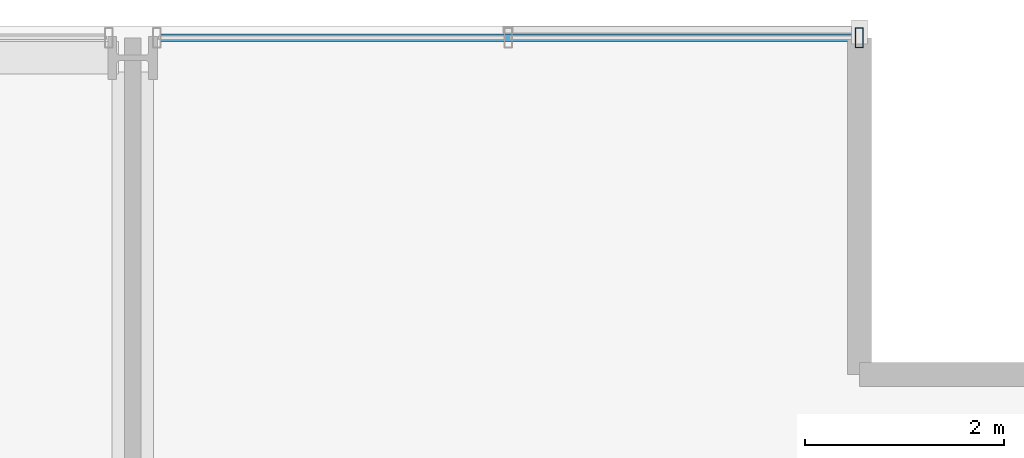
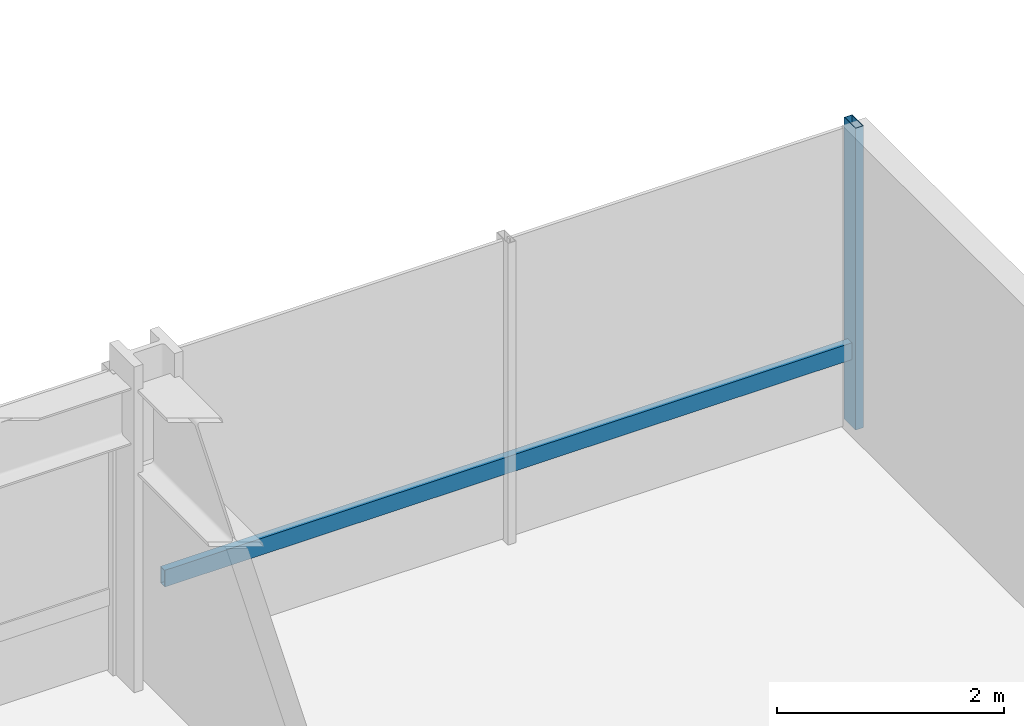
# One storey, part 28 of 42: 2 members, 1 element without a shape of its own.
"""IFC4 building model written with IfcOpenShell, lengths in metres."""

from ifc_helpers import new_model, si_unit, direction, frame, origin, origin_2d, place, context, subcontext, project, spatial, hollow_rectangle, extrude, material, layer, layer_set, material_profile, profile_set, type_object, element, aggregate, save


model = new_model("IFC4")

# Units and contexts
model_context = context("Model", 3, precision=1e-05, world=origin(), true_north=direction((0.0, 1.0)))
body_context = subcontext(model_context, "Body", "Model", "MODEL_VIEW")
ifc_project = project(units=[si_unit("LENGTHUNIT", "METRE"), si_unit("AREAUNIT", "SQUARE_METRE"), si_unit("VOLUMEUNIT", "CUBIC_METRE"), si_unit("PLANEANGLEUNIT", "RADIAN"), si_unit("MASSUNIT", "GRAM", prefix="KILO")], contexts=[model_context])

# Site, building, storey
site_placement = place(None, origin())
site = spatial("IfcSite", under=ifc_project, at=site_placement, CompositionType="ELEMENT")
building_placement = place(site_placement, origin())
building = spatial("IfcBuilding", under=site, at=building_placement, Name="Drelvath Grand Hotel", CompositionType="ELEMENT")
storey_placement = place(building_placement, frame((0.0, 0.0, 33.199951171875)))
storey = spatial("IfcBuildingStorey", under=building, at=storey_placement, Name="L06", CompositionType="ELEMENT", Elevation=33.199951171875)

# Curtain wall, members
ifc_material = material(Name="Warm Bronze Anodised Aluminium Frame", Category="aluminium")
ifc_layer = layer(ifc_material, 0.199951171875)
ifc_layer_set = layer_set([ifc_layer], Name="Warm Bronze Anodised Aluminium Frame")
curtain_wall_type = type_object("IfcCurtainWallType", Name="Stick Curtain Wall CW-02 Warm Bronze Low-Rise", PredefinedType="NOTDEFINED", material=ifc_layer_set)
curtain_wall_placement = place(storey_placement, origin())
curtain_wall = element("IfcCurtainWall", 1, at=curtain_wall_placement, inside=storey, type_object=curtain_wall_type, Name="L06 CW-02 Curtain Wall CW02-L06-NE3", PredefinedType="NOTDEFINED")
ifc_material_profile_1 = material_profile(ifc_material, hollow_rectangle(XDim=0.074951171875, YDim=0.179931640625, WallThickness=0.0048828125, at=origin_2d()), Name="HSS180X75X5")
ifc_profile_set_1 = profile_set([ifc_material_profile_1], Name="Warm Bronze Anodised Aluminium Frame")
member_type_1 = type_object("IfcMemberType", Name="Curtain Wall Horizontal Transom CW-02 HSS180X75X5", PredefinedType="USERDEFINED", material=ifc_profile_set_1)
member_1_placement = place(storey_placement, frame((16.48095703125, 53.8798828125, 0.81005859375), z_axis=(1.0, 0.0, 0.0), x_axis=(0.0, 1.0, 0.0)))
member_1 = element("IfcMember", 2, at=member_1_placement, type_object=member_type_1, Name="CW02-L06-NE3 Sill Transom", ObjectType="TRANSOM", PredefinedType="USERDEFINED", context=body_context, shape_type="SweptSolid", body=[
    extrude(hollow_rectangle(XDim=0.074951171875, YDim=0.179931640625, WallThickness=0.0048828125, at=origin_2d()), origin(), (0.0, 0.0, 1.0), 6.97900390625),
])
ifc_material_profile_2 = material_profile(ifc_material, hollow_rectangle(XDim=0.080078125, YDim=0.199951171875, WallThickness=0.0048828125, at=origin_2d()), Name="HSS200X80X5")
ifc_profile_set_2 = profile_set([ifc_material_profile_2], Name="Warm Bronze Anodised Aluminium Frame")
member_type_2 = type_object("IfcMemberType", Name="Curtain Wall Vertical Mullion CW-02 HSS200X80X5", PredefinedType="MULLION", material=ifc_profile_set_2)
member_2_placement = place(storey_placement, frame((23.5, 53.8798828125, 0.0), z_axis=(0.0, 0.0, 1.0), x_axis=(1.0, 0.0, 0.0)))
member_2 = element("IfcMember", 3, at=member_2_placement, type_object=member_type_2, Name="CW02-L06-NE3 Mullion 3", PredefinedType="MULLION", context=body_context, shape_type="SweptSolid", body=[
    extrude(hollow_rectangle(XDim=0.080078125, YDim=0.199951171875, WallThickness=0.0048828125, at=origin_2d()), origin(), (0.0, 0.0, 1.0), 3.239990234375),
])
aggregate(curtain_wall, [member_2, member_1])

save(model, "model.ifc")
